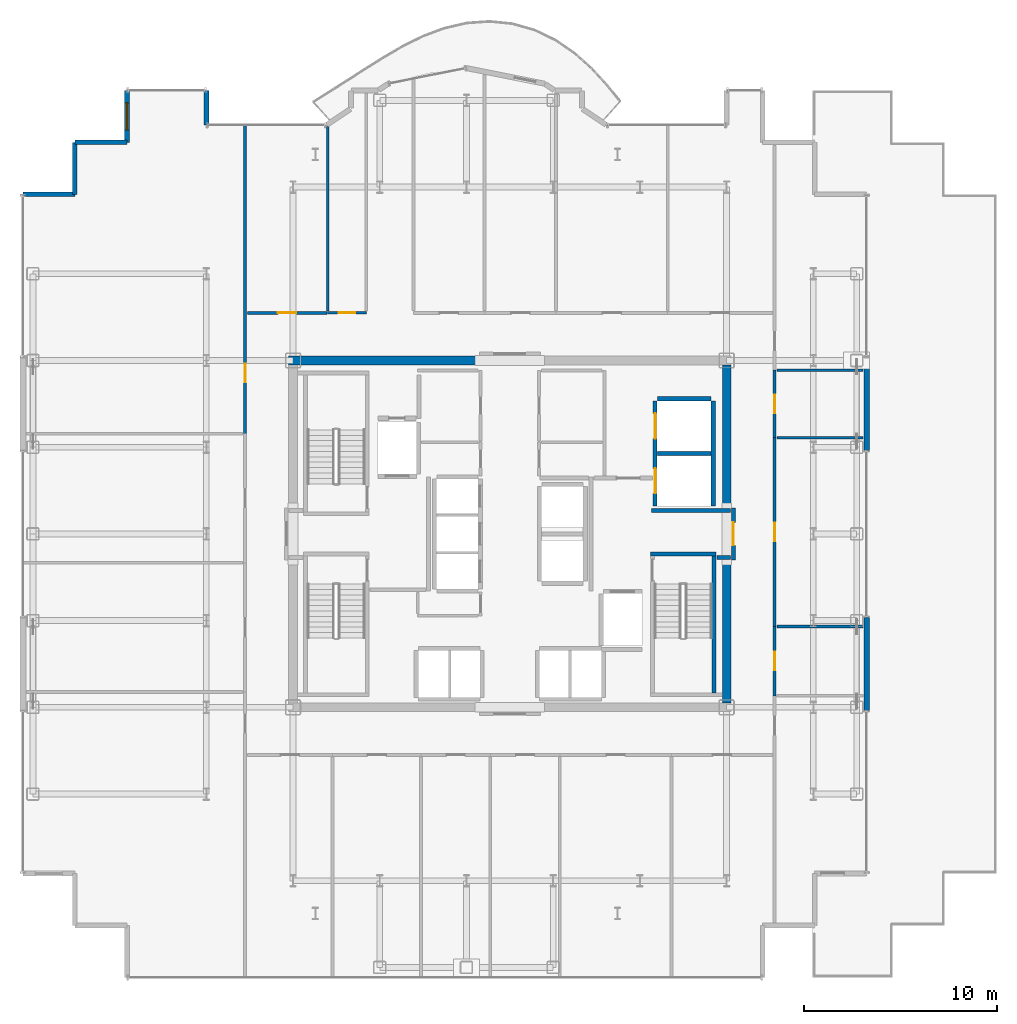
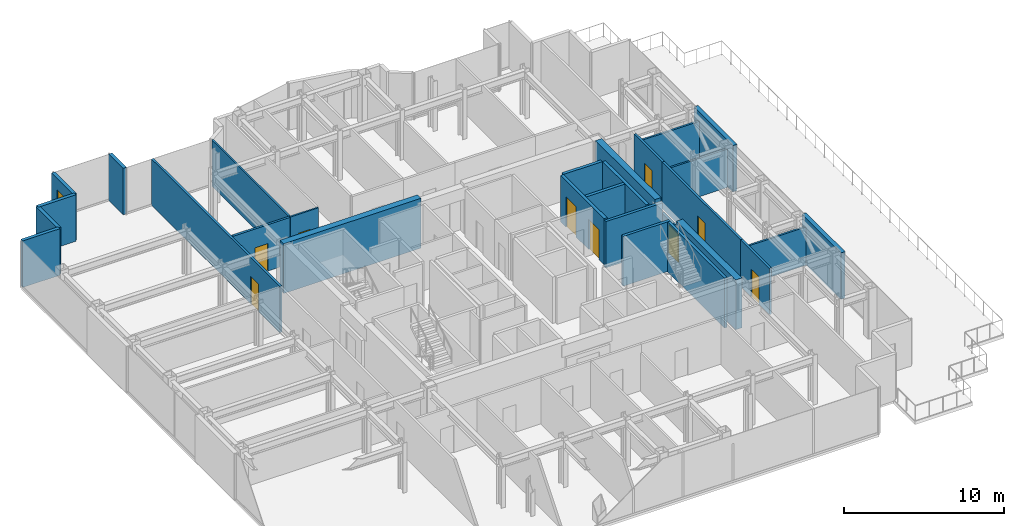
# One storey, part 14 of 17: 29 walls, 9 doors, 1 window, 10 openings.
"""IFC4 building model written with IfcOpenShell, lengths in metres."""

from ifc_helpers import new_model, si_unit, direction, frame, frame_2d, origin, place, context, subcontext, project, spatial, rectangle, extrude, source, transform, mapped, material, layer, layer_set, type_object, element, fill, save


model = new_model("IFC4")

# Units and contexts
model_context = context("Model", 3, precision=1e-05, world=origin(), true_north=direction((0.0, 1.0)))
body_context = subcontext(model_context, "Body", "Model", "MODEL_VIEW")
ifc_project = project(units=[si_unit("LENGTHUNIT", "METRE"), si_unit("AREAUNIT", "SQUARE_METRE"), si_unit("VOLUMEUNIT", "CUBIC_METRE"), si_unit("PLANEANGLEUNIT", "RADIAN"), si_unit("MASSUNIT", "GRAM", prefix="KILO")], contexts=[model_context])

# Site, building, storey
site_placement = place(None, origin())
site = spatial("IfcSite", under=ifc_project, at=site_placement, CompositionType="ELEMENT")
building_placement = place(site_placement, origin())
building = spatial("IfcBuilding", under=site, at=building_placement, Name="Nefas-Gora Pilgrimage Tower", CompositionType="ELEMENT")
storey_placement = place(building_placement, frame((0.0, 0.0, 264.60009765625)))
storey = spatial("IfcBuildingStorey", under=building, at=storey_placement, Name="L66", CompositionType="ELEMENT", Elevation=264.60009765625)

# Walls
ifc_material_1 = material(Name="Concrete C50/60", Category="concrete")
ifc_layer_1 = layer(ifc_material_1, 0.449951171875)
ifc_layer_set_1 = layer_set([ifc_layer_1], Name="Concrete C50/60")
wall_type_1 = type_object("IfcWallType", Name="SW-CORE-450", PredefinedType="SHEAR", material=ifc_layer_set_1)
shared_shape_1 = source(origin(), body_context, "Body", "SweptSolid", [
    extrude(rectangle(XDim=9.925048828125, YDim=0.449951171875, at=frame_2d((4.96240234375, 0.0))), origin(), (0.0, 0.0, 1.0), 3.7998046875),
])
wall_1_placement = place(storey_placement, frame((-11.47509765625, 9.0, 0.0), z_axis=(0.0, 0.0, 1.0), x_axis=(1.0, 0.0, 0.0)))
element("IfcWall", 1, at=wall_1_placement, inside=storey, type_object=wall_type_1, Name="L66 Core Shear Wall N-West", PredefinedType="SHEAR", context=body_context, shape_type="MappedRepresentation", body=[
    mapped(shared_shape_1, transform((0.0, 0.0, 0.0), x_axis=(1.0, 0.0, 0.0), y_axis=(0.0, 1.0, 0.0), z_axis=(0.0, 0.0, 1.0), scale=1.0)),
])
shared_shape_2 = source(origin(), body_context, "Body", "SweptSolid", [
    extrude(rectangle(XDim=7.4248046875, YDim=0.449951171875, at=frame_2d((3.71240234375, 0.0))), origin(), (0.0, 0.0, 1.0), 3.7998046875),
])
for number, where, z_axis, x_axis, name in (
    (2, (11.25, -8.77490234375, 0.0), (0.0, 0.0, 1.0), (0.0, 1.0, 0.0), "L66 Core Shear Wall E-South"),
    (3, (11.25, 1.35009765625, 0.0), (0.0, 0.0, 1.0), (0.0, 1.0, 0.0), "L66 Core Shear Wall E-North"),
):
    element("IfcWall", number, at=place(storey_placement, frame(where, z_axis=z_axis, x_axis=x_axis)), inside=storey, type_object=wall_type_1, Name=name, PredefinedType="SHEAR", context=body_context, shape_type="MappedRepresentation", body=[
        mapped(shared_shape_2, transform((0.0, 0.0, 0.0), x_axis=(1.0, 0.0, 0.0), y_axis=(0.0, 1.0, 0.0), z_axis=(0.0, 0.0, 1.0), scale=1.0)),
    ])
ifc_material_2 = material(Name="Precast concrete C40/50", Category="concrete")
ifc_layer_2 = layer(ifc_material_2, 0.260009765625)
ifc_layer_set_2 = layer_set([ifc_layer_2], Name="Precast concrete C40/50")
wall_type_2 = type_object("IfcWallType", Name="EW-PORTAL-260", PredefinedType="SOLIDWALL", material=ifc_layer_set_2)
shared_shape_3 = source(origin(), body_context, "Body", "SweptSolid", [
    extrude(rectangle(XDim=1.800048828125, YDim=0.260009765625, at=frame_2d((0.89990234375, 0.0))), origin(), (0.0, 0.0, 1.0), 3.5498046875),
])
wall_2_placement = place(storey_placement, frame((-15.75, 21.219970703125, 0.0), z_axis=(0.0, 0.0, 1.0), x_axis=(0.0, 1.0, 0.0)))
element("IfcWall", 4, at=wall_2_placement, inside=storey, type_object=wall_type_2, Name="L66 Lobe Shoulder Precast Spandrel Pier 20", PredefinedType="SOLIDWALL", context=body_context, shape_type="MappedRepresentation", body=[
    mapped(shared_shape_3, transform((0.0, 0.0, 0.0), x_axis=(1.0, 0.0, 0.0), y_axis=(0.0, 1.0, 0.0), z_axis=(0.0, 0.0, 1.0), scale=1.0)),
])

# Wall, opening, window
ifc_material_3 = material(Name="Precast concrete C45/55", Category="concrete")
ifc_layer_3 = layer(ifc_material_3, 0.239990234375)
ifc_layer_set_3 = layer_set([ifc_layer_3], Name="Precast concrete C45/55")
wall_type_3 = type_object("IfcWallType", Name="EW-SERR-240", PredefinedType="SHEAR", material=ifc_layer_set_3)
shared_shape_4 = source(origin(), body_context, "Body", "SweptSolid", [
    extrude(rectangle(XDim=2.699951171875, YDim=0.239990234375, at=frame_2d((1.35009765625, 0.0))), origin(), (0.0, 0.0, 1.0), 3.5498046875),
])
wall_3_placement = place(storey_placement, frame((-19.8701171875, 23.02001953125, 0.0), z_axis=(0.0, 0.0, 1.0), x_axis=(0.0, -1.0, 0.0)))
wall_3 = element("IfcWall", 5, at=wall_3_placement, inside=storey, type_object=wall_type_3, Name="L66 Serrated Corner Shear Pier Wall 21", PredefinedType="SHEAR", context=body_context, shape_type="MappedRepresentation", body=[
    mapped(shared_shape_4, transform((0.0, 0.0, 0.0), x_axis=(1.0, 0.0, 0.0), y_axis=(0.0, 1.0, 0.0), z_axis=(0.0, 0.0, 1.0), scale=1.0)),
])
opening_1_placement = place(wall_3_placement, frame((0.64990234375, 0.0, 0.85009765625)))
opening_1 = element("IfcOpeningElement", 6, at=opening_1_placement, cuts=wall_3, Name="Opening W-V2", PredefinedType="OPENING", context=body_context, shape_type="SweptSolid", body=[
    extrude(rectangle(XDim=1.39990234375, YDim=1.800048828125, at=frame_2d((0.699951171875, 0.89990234375))), frame((0.0, 0.1298828125, 0.0), z_axis=(0.0, -1.0, 0.0), x_axis=(1.0, 0.0, 0.0)), (0.0, 0.0, 1.0), 0.260009765625),
])
ifc_material_4 = material(Name="Dark ceramic-fritted operable aluminium-glass window", Category="aluminium")
window_type = type_object("IfcWindowType", Name="WIN-VENT-1400x1800", PartitioningType="SINGLE_PANEL", PredefinedType="WINDOW", material=ifc_material_4)
shared_shape_5 = source(origin(), body_context, "Body", "SweptSolid", [
    extrude(rectangle(XDim=1.39990234375, YDim=1.800048828125, at=frame_2d((0.699951171875, 0.89990234375))), frame((0.0, 0.030029296875, 0.0), z_axis=(0.0, -1.0, 0.0), x_axis=(1.0, 0.0, 0.0)), (0.0, 0.0, 1.0), 0.06005859375),
])
window_placement = place(opening_1_placement, origin())
window = element("IfcWindow", 7, at=window_placement, inside=storey, type_object=window_type, Name="L66 Operable Parallel-Outswing Window 21", OverallHeight=1.800048828125, OverallWidth=1.39990234375, PartitioningType="SINGLE_PANEL", PredefinedType="WINDOW", context=body_context, shape_type="MappedRepresentation", body=[
    mapped(shared_shape_5, transform((0.0, 0.0, 0.0), x_axis=(1.0, 0.0, 0.0), y_axis=(0.0, 1.0, 0.0), z_axis=(0.0, 0.0, 1.0), scale=1.0)),
])
fill(opening_1, window)

# Walls
for number, where, z_axis, x_axis, name in (
    (8, (-19.8701171875, 20.320068359375, 0.0), (0.0, 0.0, 1.0), (-1.0, 0.0, 0.0), "L66 Serrated Corner Shear Pier Wall 22"),
    (9, (-22.570068359375, 20.320068359375, 0.0), (0.0, 0.0, 1.0), (0.0, -1.0, 0.0), "L66 Serrated Corner Shear Pier Wall 23"),
    (10, (-22.570068359375, 17.6201171875, 0.0), (0.0, 0.0, 1.0), (-1.0, 0.0, 0.0), "L66 Serrated Corner Shear Pier Wall 24"),
):
    element("IfcWall", number, at=place(storey_placement, frame(where, z_axis=z_axis, x_axis=x_axis)), inside=storey, type_object=wall_type_3, Name=name, PredefinedType="SHEAR", context=body_context, shape_type="MappedRepresentation", body=[
        mapped(shared_shape_4, transform((0.0, 0.0, 0.0), x_axis=(1.0, 0.0, 0.0), y_axis=(0.0, 1.0, 0.0), z_axis=(0.0, 0.0, 1.0), scale=1.0)),
    ])
shared_shape_6 = source(origin(), body_context, "Body", "SweptSolid", [
    extrude(rectangle(XDim=4.8798828125, YDim=0.300048828125, at=frame_2d((2.43994140625, 0.0))), origin(), (0.0, 0.0, 1.0), 3.5498046875),
])
for number, where, z_axis, x_axis, name in (
    (11, (18.52001953125, -9.18994140625, 0.0), (0.0, 0.0, 1.0), (0.0, 1.0, 0.0), "L66 Braced-Tube Precast Shear Cladding 3"),
    (12, (18.52001953125, 4.31005859375, 0.0), (0.0, 0.0, 1.0), (0.0, 1.0, 0.0), "L66 Braced-Tube Precast Shear Cladding 4"),
):
    element("IfcWall", number, at=place(storey_placement, frame(where, z_axis=z_axis, x_axis=x_axis)), inside=storey, type_object=wall_type_3, Name=name, PredefinedType="SHEAR", context=body_context, shape_type="MappedRepresentation", body=[
        mapped(shared_shape_6, transform((0.0, 0.0, 0.0), x_axis=(1.0, 0.0, 0.0), y_axis=(0.0, 1.0, 0.0), z_axis=(0.0, 0.0, 1.0), scale=1.0)),
    ])
ifc_material_5 = material(Name="Concrete C45/55", Category="concrete")
ifc_layer_4 = layer(ifc_material_5, 0.199951171875)
ifc_layer_set_4 = layer_set([ifc_layer_4], Name="Concrete C45/55")
wall_type_4 = type_object("IfcWallType", Name="IW-STAIR-200", PredefinedType="SOLIDWALL", material=ifc_layer_set_4)
shared_shape_7 = source(origin(), body_context, "Body", "SweptSolid", [
    extrude(rectangle(XDim=3.39990234375, YDim=0.199951171875, at=frame_2d((1.699951171875, 0.0))), origin(), (0.0, 0.0, 1.0), 3.7998046875),
])
wall_4_placement = place(storey_placement, frame((7.300048828125, -1.050048828125, 0.0), z_axis=(0.0, 0.0, 1.0), x_axis=(1.0, 0.0, 0.0)))
element("IfcWall", 13, at=wall_4_placement, inside=storey, type_object=wall_type_4, Name="L66 Stairwell Shear Wall ST-02-near", PredefinedType="SOLIDWALL", context=body_context, shape_type="MappedRepresentation", body=[
    mapped(shared_shape_7, transform((0.0, 0.0, 0.0), x_axis=(1.0, 0.0, 0.0), y_axis=(0.0, 1.0, 0.0), z_axis=(0.0, 0.0, 1.0), scale=1.0)),
])
shared_shape_8 = source(origin(), body_context, "Body", "SweptSolid", [
    extrude(rectangle(XDim=7.10009765625, YDim=0.199951171875, at=frame_2d((3.550048828125, 0.0))), origin(), (0.0, 0.0, 1.0), 3.7998046875),
])
wall_5_placement = place(storey_placement, frame((10.60009765625, -1.14990234375, 0.0), z_axis=(0.0, 0.0, 1.0), x_axis=(0.0, -1.0, 0.0)))
element("IfcWall", 14, at=wall_5_placement, inside=storey, type_object=wall_type_4, Name="L66 Stairwell Shear Wall ST-02-right", PredefinedType="SOLIDWALL", context=body_context, shape_type="MappedRepresentation", body=[
    mapped(shared_shape_8, transform((0.0, 0.0, 0.0), x_axis=(1.0, 0.0, 0.0), y_axis=(0.0, 1.0, 0.0), z_axis=(0.0, 0.0, 1.0), scale=1.0)),
])

# Wall, openings, doors
ifc_material_6 = material(Name="Concrete C40/50", Category="concrete")
ifc_layer_5 = layer(ifc_material_6, 0.219970703125)
ifc_layer_set_5 = layer_set([ifc_layer_5], Name="Concrete C40/50")
wall_type_5 = type_object("IfcWallType", Name="IW-SHAFT-220", PredefinedType="SOLIDWALL", material=ifc_layer_set_5)
shared_shape_9 = source(origin(), body_context, "Body", "SweptSolid", [
    extrude(rectangle(XDim=5.449951171875, YDim=0.219970703125, at=frame_2d((2.72509765625, 0.0))), origin(), (0.0, 0.0, 1.0), 3.534912109375),
])
wall_6_placement = place(storey_placement, frame((7.5400390625, 6.89990234375, 0.0), z_axis=(0.0, 0.0, 1.0), x_axis=(0.0, -1.0, 0.0)))
wall_6 = element("IfcWall", 15, at=wall_6_placement, inside=storey, type_object=wall_type_5, Name="L66 Hoistway Wall SL-01-02-W", PredefinedType="SOLIDWALL", context=body_context, shape_type="MappedRepresentation", body=[
    mapped(shared_shape_9, transform((0.0, 0.0, 0.0), x_axis=(1.0, 0.0, 0.0), y_axis=(0.0, 1.0, 0.0), z_axis=(0.0, 0.0, 1.0), scale=1.0)),
])
opening_2_placement = place(wall_6_placement, frame((3.5, 0.0, 0.0)))
opening_2 = element("IfcOpeningElement", 16, at=opening_2_placement, cuts=wall_6, Name="Opening LD-SV", PredefinedType="OPENING", context=body_context, shape_type="SweptSolid", body=[
    extrude(rectangle(XDim=1.300048828125, YDim=2.300048828125, at=frame_2d((0.64990234375, 1.14990234375))), frame((0.0, 0.119873046875, 0.0), z_axis=(0.0, -1.0, 0.0), x_axis=(1.0, 0.0, 0.0)), (0.0, 0.0, 1.0), 0.239990234375),
])
opening_3_placement = place(wall_6_placement, frame((0.64990234375, 0.0, 0.0)))
opening_3 = element("IfcOpeningElement", 17, at=opening_3_placement, cuts=wall_6, Name="Opening LD-SV", PredefinedType="OPENING", context=body_context, shape_type="SweptSolid", body=[
    extrude(rectangle(XDim=1.300048828125, YDim=2.300048828125, at=frame_2d((0.64990234375, 1.14990234375))), frame((0.0, 0.119873046875, 0.0), z_axis=(0.0, -1.0, 0.0), x_axis=(1.0, 0.0, 0.0)), (0.0, 0.0, 1.0), 0.239990234375),
])
ifc_material_7 = material(Name="Heavy goods sliding lift landing door")
door_type_1 = type_object("IfcDoorType", Name="DR-LIFT-SERV-1300", OperationType="SLIDING_TO_RIGHT", PredefinedType="DOOR", material=ifc_material_7)
shared_shape_10 = source(origin(), body_context, "Body", "SweptSolid", [
    extrude(rectangle(XDim=1.300048828125, YDim=2.300048828125, at=frame_2d((0.64990234375, 1.14990234375))), frame((0.0, 0.02490234375, 0.0), z_axis=(0.0, -1.0, 0.0), x_axis=(1.0, 0.0, 0.0)), (0.0, 0.0, 1.0), 0.050048828125),
])
door_1_placement = place(opening_2_placement, origin())
door_1 = element("IfcDoor", 18, at=door_1_placement, inside=storey, type_object=door_type_1, Name="L66 Sliding Lift Landing Door SL-01", OperationType="SLIDING_TO_RIGHT", OverallHeight=2.300048828125, OverallWidth=1.300048828125, PredefinedType="DOOR", context=body_context, shape_type="MappedRepresentation", body=[
    mapped(shared_shape_10, transform((0.0, 0.0, 0.0), x_axis=(1.0, 0.0, 0.0), y_axis=(0.0, 1.0, 0.0), z_axis=(0.0, 0.0, 1.0), scale=1.0)),
])
fill(opening_2, door_1)
door_2_placement = place(opening_3_placement, origin())
door_2 = element("IfcDoor", 19, at=door_2_placement, inside=storey, type_object=door_type_1, Name="L66 Sliding Lift Landing Door SL-02", OperationType="SLIDING_TO_RIGHT", OverallHeight=2.300048828125, OverallWidth=1.300048828125, PredefinedType="DOOR", context=body_context, shape_type="MappedRepresentation", body=[
    mapped(shared_shape_10, transform((0.0, 0.0, 0.0), x_axis=(1.0, 0.0, 0.0), y_axis=(0.0, 1.0, 0.0), z_axis=(0.0, 0.0, 1.0), scale=1.0)),
])
fill(opening_3, door_2)

# Walls
wall_7_placement = place(storey_placement, frame((10.56005859375, 1.449951171875, 0.0), z_axis=(0.0, 0.0, 1.0), x_axis=(0.0, 1.0, 0.0)))
element("IfcWall", 20, at=wall_7_placement, inside=storey, type_object=wall_type_5, Name="L66 Hoistway Wall SL-01-02-E", PredefinedType="SOLIDWALL", context=body_context, shape_type="MappedRepresentation", body=[
    mapped(shared_shape_9, transform((0.0, 0.0, 0.0), x_axis=(1.0, 0.0, 0.0), y_axis=(0.0, 1.0, 0.0), z_axis=(0.0, 0.0, 1.0), scale=1.0)),
])
shared_shape_11 = source(origin(), body_context, "Body", "SweptSolid", [
    extrude(rectangle(XDim=2.780029296875, YDim=0.219970703125, at=frame_2d((1.39013671875, 0.0))), origin(), (0.0, 0.0, 1.0), 3.534912109375),
])
for number, where, z_axis, x_axis, name in (
    (21, (7.659912109375, 4.175048828125, 0.0), (0.0, 0.0, 1.0), (1.0, 0.0, 0.0), "L66 Hoistway Wall SL-01-02-DIV"),
    (22, (10.43994140625, 7.010009765625, 0.0), (0.0, 0.0, 1.0), (-1.0, 0.0, 0.0), "L66 Hoistway Wall SL-02-N"),
):
    element("IfcWall", number, at=place(storey_placement, frame(where, z_axis=z_axis, x_axis=x_axis)), inside=storey, type_object=wall_type_5, Name=name, PredefinedType="SOLIDWALL", context=body_context, shape_type="MappedRepresentation", body=[
        mapped(shared_shape_11, transform((0.0, 0.0, 0.0), x_axis=(1.0, 0.0, 0.0), y_axis=(0.0, 1.0, 0.0), z_axis=(0.0, 0.0, 1.0), scale=1.0)),
    ])
ifc_material_8 = material(Name="Gypsum fire-rated shaftwall")
ifc_layer_6 = layer(ifc_material_8, 0.199951171875)
ifc_layer_set_6 = layer_set([ifc_layer_6], Name="Gypsum fire-rated shaftwall")
wall_type_6 = type_object("IfcWallType", Name="IW-FFLOB-200", PredefinedType="PARTITIONING", material=ifc_layer_set_6)
shared_shape_12 = source(origin(), body_context, "Body", "SweptSolid", [
    extrude(rectangle(XDim=0.719970703125, YDim=0.199951171875, at=frame_2d((0.35986328125, 0.0))), origin(), (0.0, 0.0, 1.0), 3.534912109375),
])
wall_8_placement = place(storey_placement, frame((10.739990234375, -1.219970703125, 0.0), z_axis=(0.0, 0.0, 1.0), x_axis=(1.0, 0.0, 0.0)))
element("IfcWall", 23, at=wall_8_placement, inside=storey, type_object=wall_type_6, Name="L66 FF Lobby East Throat S Wall 14", PredefinedType="PARTITIONING", context=body_context, shape_type="MappedRepresentation", body=[
    mapped(shared_shape_12, transform((0.0, 0.0, 0.0), x_axis=(1.0, 0.0, 0.0), y_axis=(0.0, 1.0, 0.0), z_axis=(0.0, 0.0, 1.0), scale=1.0)),
])
shared_shape_13 = source(origin(), body_context, "Body", "SweptSolid", [
    extrude(rectangle(XDim=4.10986328125, YDim=0.199951171875, at=frame_2d((2.054931640625, 0.0))), origin(), (0.0, 0.0, 1.0), 3.534912109375),
])
wall_9_placement = place(storey_placement, frame((7.35009765625, 1.219970703125, 0.0), z_axis=(0.0, 0.0, 1.0), x_axis=(1.0, 0.0, 0.0)))
element("IfcWall", 24, at=wall_9_placement, inside=storey, type_object=wall_type_6, Name="L66 FF Lobby East Throat N Wall 13", PredefinedType="PARTITIONING", context=body_context, shape_type="MappedRepresentation", body=[
    mapped(shared_shape_13, transform((0.0, 0.0, 0.0), x_axis=(1.0, 0.0, 0.0), y_axis=(0.0, 1.0, 0.0), z_axis=(0.0, 0.0, 1.0), scale=1.0)),
])

# Wall, opening, door
ifc_material_9 = material(Name="Moisture-resistant fire-rated gypsum partition")
ifc_layer_7 = layer(ifc_material_9, 0.1201171875)
ifc_layer_set_7 = layer_set([ifc_layer_7], Name="Moisture-resistant fire-rated gypsum partition")
wall_type_7 = type_object("IfcWallType", Name="IW-WET-120", PredefinedType="PLUMBINGWALL", material=ifc_layer_set_7)
shared_shape_14 = source(origin(), body_context, "Body", "SweptSolid", [
    extrude(rectangle(XDim=2.02001953125, YDim=0.1201171875, at=frame_2d((1.010009765625, 0.0))), origin(), (0.0, 0.0, 1.0), 3.534912109375),
])
wall_10_placement = place(storey_placement, frame((-9.4599609375, 11.469970703125, 0.0), z_axis=(0.0, 0.0, 1.0), x_axis=(1.0, 0.0, 0.0)))
wall_10 = element("IfcWall", 25, at=wall_10_placement, inside=storey, type_object=wall_type_7, Name="L66 Accessible Unisex WC Partition Wall 29", PredefinedType="PLUMBINGWALL", context=body_context, shape_type="MappedRepresentation", body=[
    mapped(shared_shape_14, transform((0.0, 0.0, 0.0), x_axis=(1.0, 0.0, 0.0), y_axis=(0.0, 1.0, 0.0), z_axis=(0.0, 0.0, 1.0), scale=1.0)),
])
opening_4_placement = place(wall_10_placement, frame((0.5849609375, 0.0, 0.0)))
opening_4 = element("IfcOpeningElement", 26, at=opening_4_placement, cuts=wall_10, Name="Opening ID-BT1", PredefinedType="OPENING", context=body_context, shape_type="SweptSolid", body=[
    extrude(rectangle(XDim=0.85009765625, YDim=2.10009765625, at=frame_2d((0.425048828125, 1.050048828125))), frame((0.0, 0.070068359375, 0.0), z_axis=(0.0, -1.0, 0.0), x_axis=(1.0, 0.0, 0.0)), (0.0, 0.0, 1.0), 0.14013671875),
])
ifc_material_10 = material(Name="Moisture-resistant fire-rated timber door", Category="wood")
door_type_2 = type_object("IfcDoorType", Name="DR-INT-BATH-850", OperationType="NOTDEFINED", PredefinedType="DOOR", material=ifc_material_10)
shared_shape_15 = source(origin(), body_context, "Body", "SweptSolid", [
    extrude(rectangle(XDim=0.85009765625, YDim=2.10009765625, at=frame_2d((0.425048828125, 1.050048828125))), frame((0.0, 0.02490234375, 0.0), z_axis=(0.0, -1.0, 0.0), x_axis=(1.0, 0.0, 0.0)), (0.0, 0.0, 1.0), 0.050048828125),
])
door_3_placement = place(opening_4_placement, origin())
door_3 = element("IfcDoor", 27, at=door_3_placement, inside=storey, type_object=door_type_2, Name="L66 Accessible Unisex WC Door 12", OperationType="SINGLE_SWING_RIGHT", OverallHeight=2.10009765625, OverallWidth=0.85009765625, PredefinedType="DOOR", context=body_context, shape_type="MappedRepresentation", body=[
    mapped(shared_shape_15, transform((0.0, 0.0, 0.0), x_axis=(1.0, 0.0, 0.0), y_axis=(0.0, 1.0, 0.0), z_axis=(0.0, 0.0, 1.0), scale=1.0)),
])
fill(opening_4, door_3)

# Wall
shared_shape_16 = source(origin(), body_context, "Body", "SweptSolid", [
    extrude(rectangle(XDim=9.586669921875, YDim=0.1201171875, at=frame_2d((4.79345703125, 0.0))), origin(), (0.0, 0.0, 1.0), 3.534912109375),
])
wall_11_placement = place(storey_placement, frame((-9.449951171875, 11.570068359375, 0.0), z_axis=(0.0, 0.0, 1.0), x_axis=(0.0, 1.0, 0.0)))
element("IfcWall", 28, at=wall_11_placement, inside=storey, type_object=wall_type_7, Name="L66 Accessible Unisex WC Partition Wall 31", PredefinedType="PLUMBINGWALL", context=body_context, shape_type="MappedRepresentation", body=[
    mapped(shared_shape_16, transform((0.0, 0.0, 0.0), x_axis=(1.0, 0.0, 0.0), y_axis=(0.0, 1.0, 0.0), z_axis=(0.0, 0.0, 1.0), scale=1.0)),
])

# Wall, opening, door
ifc_material_11 = material(Name="Gypsum acoustic stud partition")
ifc_layer_8 = layer(ifc_material_11, 0.159912109375)
ifc_layer_set_8 = layer_set([ifc_layer_8], Name="Gypsum acoustic stud partition")
wall_type_8 = type_object("IfcWallType", Name="IW-CORR-160", PredefinedType="PARTITIONING", material=ifc_layer_set_8)
shared_shape_17 = source(origin(), body_context, "Body", "SweptSolid", [
    extrude(rectangle(XDim=16.044921875, YDim=0.159912109375, at=frame_2d((8.0224609375, 0.0))), origin(), (0.0, 0.0, 1.0), 3.534912109375),
])
wall_12_placement = place(storey_placement, frame((-13.739990234375, 5.195068359375, 0.0), z_axis=(0.0, 0.0, 1.0), x_axis=(0.0, 1.0, 0.0)))
wall_12 = element("IfcWall", 29, at=wall_12_placement, inside=storey, type_object=wall_type_8, Name="L66 Pilgrim Contemplative Lounge Partition Wall 38", PredefinedType="PARTITIONING", context=body_context, shape_type="MappedRepresentation", body=[
    mapped(shared_shape_17, transform((0.0, 0.0, 0.0), x_axis=(1.0, 0.0, 0.0), y_axis=(0.0, 1.0, 0.0), z_axis=(0.0, 0.0, 1.0), scale=1.0)),
])
opening_5_placement = place(wall_12_placement, frame((2.6826171875, 0.0, 0.0)))
opening_5 = element("IfcOpeningElement", 30, at=opening_5_placement, cuts=wall_12, Name="Opening ID-GR1", PredefinedType="OPENING", context=body_context, shape_type="SweptSolid", body=[
    extrude(rectangle(XDim=0.949951171875, YDim=2.10009765625, at=frame_2d((0.47509765625, 1.050048828125))), frame((0.0, 0.08984375, 0.0), z_axis=(0.0, -1.0, 0.0), x_axis=(1.0, 0.0, 0.0)), (0.0, 0.0, 1.0), 0.179931640625),
])
ifc_material_12 = material(Name="Solid core oak fire-rated guest entrance door")
door_type_3 = type_object("IfcDoorType", Name="DR-INT-GUEST-950", OperationType="NOTDEFINED", PredefinedType="DOOR", material=ifc_material_12)
shared_shape_18 = source(origin(), body_context, "Body", "SweptSolid", [
    extrude(rectangle(XDim=0.949951171875, YDim=2.10009765625, at=frame_2d((0.47509765625, 1.050048828125))), frame((0.0, 0.02490234375, 0.0), z_axis=(0.0, -1.0, 0.0), x_axis=(1.0, 0.0, 0.0)), (0.0, 0.0, 1.0), 0.050048828125),
])
door_4_placement = place(opening_5_placement, origin())
door_4 = element("IfcDoor", 31, at=door_4_placement, inside=storey, type_object=door_type_3, Name="L66 Pilgrim Contemplative Lounge Door 16", OperationType="SINGLE_SWING_RIGHT", OverallHeight=2.10009765625, OverallWidth=0.949951171875, PredefinedType="DOOR", context=body_context, shape_type="MappedRepresentation", body=[
    mapped(shared_shape_18, transform((0.0, 0.0, 0.0), x_axis=(1.0, 0.0, 0.0), y_axis=(0.0, 1.0, 0.0), z_axis=(0.0, 0.0, 1.0), scale=1.0)),
])
fill(opening_5, door_4)

shared_shape_19 = source(origin(), body_context, "Body", "SweptSolid", [
    extrude(rectangle(XDim=3.610107421875, YDim=0.159912109375, at=frame_2d((1.80517578125, 0.0))), origin(), (0.0, 0.0, 1.0), 3.534912109375),
])
wall_13_placement = place(storey_placement, frame((13.739990234375, -8.405029296875, 0.0), z_axis=(0.0, 0.0, 1.0), x_axis=(0.0, 1.0, 0.0)))
wall_13 = element("IfcWall", 32, at=wall_13_placement, inside=storey, type_object=wall_type_8, Name="L66 Pastoral Chaplains Counselling Office Partition Wall 41", PredefinedType="PARTITIONING", context=body_context, shape_type="MappedRepresentation", body=[
    mapped(shared_shape_19, transform((0.0, 0.0, 0.0), x_axis=(1.0, 0.0, 0.0), y_axis=(0.0, 1.0, 0.0), z_axis=(0.0, 0.0, 1.0), scale=1.0)),
])
opening_6_placement = place(wall_13_placement, frame((1.330078125, 0.0, 0.0)))
opening_6 = element("IfcOpeningElement", 33, at=opening_6_placement, cuts=wall_13, Name="Opening ID-GR1", PredefinedType="OPENING", context=body_context, shape_type="SweptSolid", body=[
    extrude(rectangle(XDim=0.949951171875, YDim=2.10009765625, at=frame_2d((0.47509765625, 1.050048828125))), frame((0.0, 0.08984375, 0.0), z_axis=(0.0, -1.0, 0.0), x_axis=(1.0, 0.0, 0.0)), (0.0, 0.0, 1.0), 0.179931640625),
])
door_5_placement = place(opening_6_placement, origin())
door_5 = element("IfcDoor", 34, at=door_5_placement, inside=storey, type_object=door_type_3, Name="L66 Pastoral Chaplains Counselling Office Door 18", OperationType="SINGLE_SWING_RIGHT", OverallHeight=2.10009765625, OverallWidth=0.949951171875, PredefinedType="DOOR", context=body_context, shape_type="MappedRepresentation", body=[
    mapped(shared_shape_18, transform((0.0, 0.0, 0.0), x_axis=(1.0, 0.0, 0.0), y_axis=(0.0, 1.0, 0.0), z_axis=(0.0, 0.0, 1.0), scale=1.0)),
])
fill(opening_6, door_5)

shared_shape_20 = source(origin(), body_context, "Body", "SweptSolid", [
    extrude(rectangle(XDim=4.125, YDim=0.159912109375, at=frame_2d((2.0625, 0.0))), origin(), (0.0, 0.0, 1.0), 3.534912109375),
])
wall_14_placement = place(storey_placement, frame((-13.6201171875, 11.469970703125, 0.0), z_axis=(0.0, 0.0, 1.0), x_axis=(1.0, 0.0, 0.0)))
wall_14 = element("IfcWall", 35, at=wall_14_placement, inside=storey, type_object=wall_type_8, Name="L66 Pilgrim Contemplative Lounge Partition Wall 48", PredefinedType="PARTITIONING", context=body_context, shape_type="MappedRepresentation", body=[
    mapped(shared_shape_20, transform((0.0, 0.0, 0.0), x_axis=(1.0, 0.0, 0.0), y_axis=(0.0, 1.0, 0.0), z_axis=(0.0, 0.0, 1.0), scale=1.0)),
])
opening_7_placement = place(wall_14_placement, frame((1.58740234375, 0.0, 0.0)))
opening_7 = element("IfcOpeningElement", 36, at=opening_7_placement, cuts=wall_14, Name="Opening ID-GR1", PredefinedType="OPENING", context=body_context, shape_type="SweptSolid", body=[
    extrude(rectangle(XDim=0.949951171875, YDim=2.10009765625, at=frame_2d((0.47509765625, 1.050048828125))), frame((0.0, 0.08984375, 0.0), z_axis=(0.0, -1.0, 0.0), x_axis=(1.0, 0.0, 0.0)), (0.0, 0.0, 1.0), 0.179931640625),
])
door_6_placement = place(opening_7_placement, origin())
door_6 = element("IfcDoor", 37, at=door_6_placement, inside=storey, type_object=door_type_3, Name="L66 Pilgrim Contemplative Lounge Door 22", OperationType="SINGLE_SWING_RIGHT", OverallHeight=2.10009765625, OverallWidth=0.949951171875, PredefinedType="DOOR", context=body_context, shape_type="MappedRepresentation", body=[
    mapped(shared_shape_18, transform((0.0, 0.0, 0.0), x_axis=(1.0, 0.0, 0.0), y_axis=(0.0, 1.0, 0.0), z_axis=(0.0, 0.0, 1.0), scale=1.0)),
])
fill(opening_7, door_6)

shared_shape_21 = source(origin(), body_context, "Body", "SweptSolid", [
    extrude(rectangle(XDim=9.809814453125, YDim=0.159912109375, at=frame_2d((4.90478515625, 0.0))), origin(), (0.0, 0.0, 1.0), 3.534912109375),
])
wall_15_placement = place(storey_placement, frame((13.739990234375, -4.804931640625, 0.0), z_axis=(0.0, 0.0, 1.0), x_axis=(0.0, 1.0, 0.0)))
wall_15 = element("IfcWall", 38, at=wall_15_placement, inside=storey, type_object=wall_type_8, Name="L66 Pilgrim Contemplative Lounge Partition Wall 43", PredefinedType="PARTITIONING", context=body_context, shape_type="MappedRepresentation", body=[
    mapped(shared_shape_21, transform((0.0, 0.0, 0.0), x_axis=(1.0, 0.0, 0.0), y_axis=(0.0, 1.0, 0.0), z_axis=(0.0, 0.0, 1.0), scale=1.0)),
])
opening_8_placement = place(wall_15_placement, frame((4.429931640625, 0.0, 0.0)))
opening_8 = element("IfcOpeningElement", 39, at=opening_8_placement, cuts=wall_15, Name="Opening ID-GR1", PredefinedType="OPENING", context=body_context, shape_type="SweptSolid", body=[
    extrude(rectangle(XDim=0.949951171875, YDim=2.10009765625, at=frame_2d((0.47509765625, 1.050048828125))), frame((0.0, 0.08984375, 0.0), z_axis=(0.0, -1.0, 0.0), x_axis=(1.0, 0.0, 0.0)), (0.0, 0.0, 1.0), 0.179931640625),
])
door_7_placement = place(opening_8_placement, origin())
door_7 = element("IfcDoor", 40, at=door_7_placement, inside=storey, type_object=door_type_3, Name="L66 Pilgrim Contemplative Lounge Door 19", OperationType="SINGLE_SWING_LEFT", OverallHeight=2.10009765625, OverallWidth=0.949951171875, PredefinedType="DOOR", context=body_context, shape_type="MappedRepresentation", body=[
    mapped(shared_shape_18, transform((0.0, 0.0, 0.0), x_axis=(1.0, 0.0, 0.0), y_axis=(0.0, 1.0, 0.0), z_axis=(0.0, 0.0, 1.0), scale=1.0)),
])
fill(opening_8, door_7)

shared_shape_22 = source(origin(), body_context, "Body", "SweptSolid", [
    extrude(rectangle(XDim=3.509765625, YDim=0.159912109375, at=frame_2d((1.7548828125, 0.0))), origin(), (0.0, 0.0, 1.0), 3.534912109375),
])
wall_16_placement = place(storey_placement, frame((13.739990234375, 4.9951171875, 0.0), z_axis=(0.0, 0.0, 1.0), x_axis=(0.0, 1.0, 0.0)))
wall_16 = element("IfcWall", 41, at=wall_16_placement, inside=storey, type_object=wall_type_8, Name="L66 Scripture Reading Study Partition Wall 45", PredefinedType="PARTITIONING", context=body_context, shape_type="MappedRepresentation", body=[
    mapped(shared_shape_22, transform((0.0, 0.0, 0.0), x_axis=(1.0, 0.0, 0.0), y_axis=(0.0, 1.0, 0.0), z_axis=(0.0, 0.0, 1.0), scale=1.0)),
])
opening_9_placement = place(wall_16_placement, frame((1.280029296875, 0.0, 0.0)))
opening_9 = element("IfcOpeningElement", 42, at=opening_9_placement, cuts=wall_16, Name="Opening ID-GR1", PredefinedType="OPENING", context=body_context, shape_type="SweptSolid", body=[
    extrude(rectangle(XDim=0.949951171875, YDim=2.10009765625, at=frame_2d((0.47509765625, 1.050048828125))), frame((0.0, 0.08984375, 0.0), z_axis=(0.0, -1.0, 0.0), x_axis=(1.0, 0.0, 0.0)), (0.0, 0.0, 1.0), 0.179931640625),
])
door_8_placement = place(opening_9_placement, origin())
door_8 = element("IfcDoor", 43, at=door_8_placement, inside=storey, type_object=door_type_3, Name="L66 Scripture Reading Study Door 20", OperationType="SINGLE_SWING_RIGHT", OverallHeight=2.10009765625, OverallWidth=0.949951171875, PredefinedType="DOOR", context=body_context, shape_type="MappedRepresentation", body=[
    mapped(shared_shape_18, transform((0.0, 0.0, 0.0), x_axis=(1.0, 0.0, 0.0), y_axis=(0.0, 1.0, 0.0), z_axis=(0.0, 0.0, 1.0), scale=1.0)),
])
fill(opening_9, door_8)

shared_shape_23 = source(origin(), body_context, "Body", "SweptSolid", [
    extrude(rectangle(XDim=2.7001953125, YDim=0.199951171875, at=frame_2d((1.35009765625, 0.0))), origin(), (0.0, 0.0, 1.0), 2.625),
])
wall_17_placement = place(storey_placement, frame((11.60009765625, -1.35009765625, 0.0), z_axis=(0.0, 0.0, 1.0), x_axis=(0.0, 1.0, 0.0)))
wall_17 = element("IfcWall", 44, at=wall_17_placement, inside=storey, type_object=wall_type_6, Name="L66 FF Lobby East Portal Wall 9", PredefinedType="PARTITIONING", context=body_context, shape_type="MappedRepresentation", body=[
    mapped(shared_shape_23, transform((0.0, 0.0, 0.0), x_axis=(1.0, 0.0, 0.0), y_axis=(0.0, 1.0, 0.0), z_axis=(0.0, 0.0, 1.0), scale=1.0)),
])
opening_10_placement = place(wall_17_placement, frame((0.75, 0.0, 0.0)))
opening_10 = element("IfcOpeningElement", 45, at=opening_10_placement, cuts=wall_17, Name="Opening ID-FF1", PredefinedType="OPENING", context=body_context, shape_type="SweptSolid", body=[
    extrude(rectangle(XDim=1.199951171875, YDim=2.14990234375, at=frame_2d((0.60009765625, 1.074951171875))), frame((0.0, 0.10986328125, 0.0), z_axis=(0.0, -1.0, 0.0), x_axis=(1.0, 0.0, 0.0)), (0.0, 0.0, 1.0), 0.219970703125),
])
ifc_material_13 = material(Name="Smoke-sealed steel firefighting lobby door", Category="steel")
door_type_4 = type_object("IfcDoorType", Name="DR-INT-FFLOB-1200", OperationType="NOTDEFINED", PredefinedType="DOOR", material=ifc_material_13)
shared_shape_24 = source(origin(), body_context, "Body", "SweptSolid", [
    extrude(rectangle(XDim=1.199951171875, YDim=2.14990234375, at=frame_2d((0.60009765625, 1.074951171875))), frame((0.0, 0.02490234375, 0.0), z_axis=(0.0, -1.0, 0.0), x_axis=(1.0, 0.0, 0.0)), (0.0, 0.0, 1.0), 0.050048828125),
])
door_9_placement = place(opening_10_placement, origin())
door_9 = element("IfcDoor", 46, at=door_9_placement, inside=storey, type_object=door_type_4, Name="L66 FF Lobby East Portal Door 3", OperationType="SINGLE_SWING_LEFT", OverallHeight=2.14990234375, OverallWidth=1.199951171875, PredefinedType="DOOR", context=body_context, shape_type="MappedRepresentation", body=[
    mapped(shared_shape_24, transform((0.0, 0.0, 0.0), x_axis=(1.0, 0.0, 0.0), y_axis=(0.0, 1.0, 0.0), z_axis=(0.0, 0.0, 1.0), scale=1.0)),
])
fill(opening_10, door_9)

# Walls
ifc_material_14 = material(Name="Gypsum twin-stud partition")
ifc_layer_9 = layer(ifc_material_14, 0.139892578125)
ifc_layer_set_9 = layer_set([ifc_layer_9], Name="Gypsum twin-stud partition")
wall_type_9 = type_object("IfcWallType", Name="IW-UNIT-140", PredefinedType="PARTITIONING", material=ifc_layer_set_9)
shared_shape_25 = source(origin(), body_context, "Body", "SweptSolid", [
    extrude(rectangle(XDim=4.469970703125, YDim=0.139892578125, at=frame_2d((2.23486328125, 0.0))), origin(), (0.0, 0.0, 1.0), 2.9248046875),
])
for number, where, z_axis, x_axis, name in (
    (47, (13.860107421875, -4.804931640625, 0.0), (0.0, 0.0, 1.0), (1.0, 0.0, 0.0), "L66 Pastoral Chaplains Counselling Office Partition Wall 42"),
    (48, (13.860107421875, 4.9951171875, 0.0), (0.0, 0.0, 1.0), (1.0, 0.0, 0.0), "L66 Pilgrim Contemplative Lounge Partition Wall 44"),
    (49, (13.860107421875, 8.4951171875, 0.0), (0.0, 0.0, 1.0), (1.0, 0.0, 0.0), "L66 Scripture Reading Study Partition Wall 46"),
):
    element("IfcWall", number, at=place(storey_placement, frame(where, z_axis=z_axis, x_axis=x_axis)), inside=storey, type_object=wall_type_9, Name=name, PredefinedType="PARTITIONING", context=body_context, shape_type="MappedRepresentation", body=[
        mapped(shared_shape_25, transform((0.0, 0.0, 0.0), x_axis=(1.0, 0.0, 0.0), y_axis=(0.0, 1.0, 0.0), z_axis=(0.0, 0.0, 1.0), scale=1.0)),
    ])

save(model, "model.ifc")
